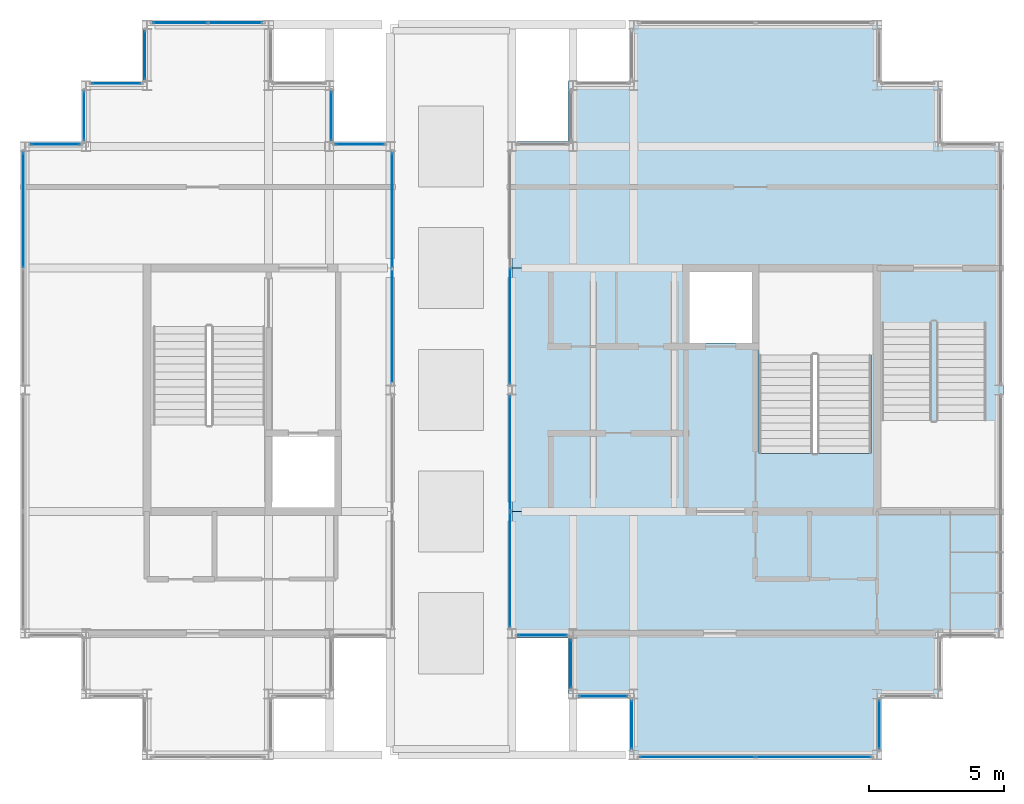
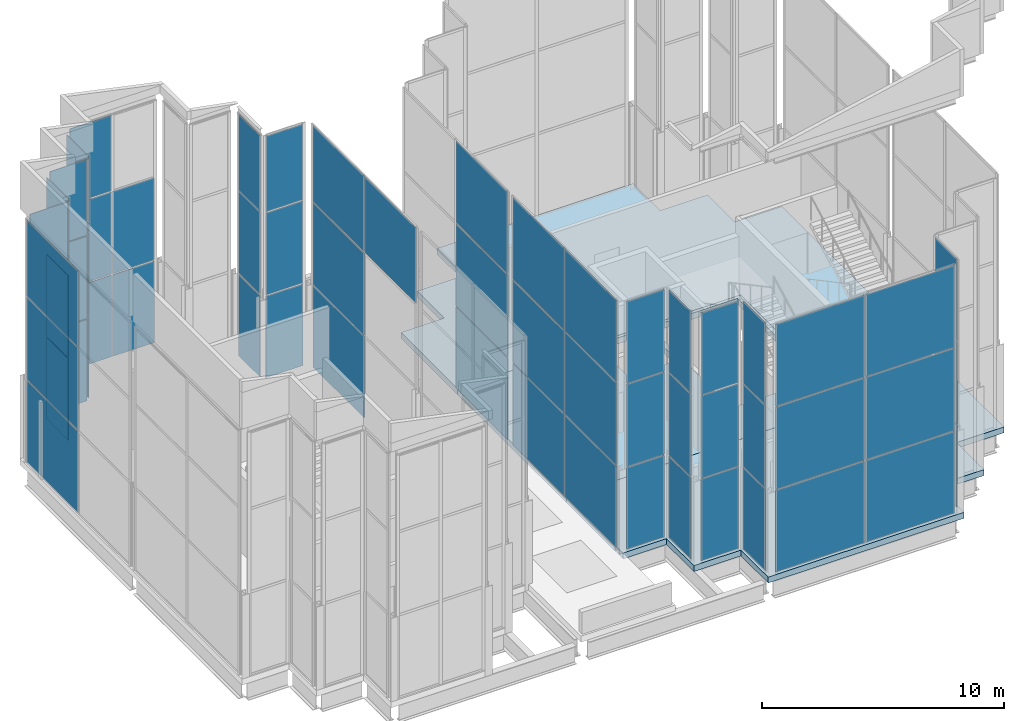
# One storey, part 12 of 23: 60 plates, 2 slabs, 17 elements without a shape of their own.
"""IFC4 building model written with IfcOpenShell, lengths in metres."""

from ifc_helpers import new_model, si_unit, direction, frame, origin, origin_2d, place, context, subcontext, project, spatial, polyline, rectangle, outline, extrude, material, layer, layer_set, type_object, element, aggregate, save


model = new_model("IFC4")

# Units and contexts
model_context = context("Model", 3, precision=1e-05, world=origin(), true_north=direction((0.0, 1.0)))
body_context = subcontext(model_context, "Body", "Model", "MODEL_VIEW")
ifc_project = project(units=[si_unit("LENGTHUNIT", "METRE"), si_unit("AREAUNIT", "SQUARE_METRE"), si_unit("VOLUMEUNIT", "CUBIC_METRE"), si_unit("PLANEANGLEUNIT", "RADIAN"), si_unit("MASSUNIT", "GRAM", prefix="KILO")], contexts=[model_context])

# Site, building, storey
site_placement = place(None, origin())
site = spatial("IfcSite", under=ifc_project, at=site_placement, CompositionType="ELEMENT")
building_placement = place(site_placement, origin())
building = spatial("IfcBuilding", under=site, at=building_placement, Name="Caravel Reach Hotel and Residences", CompositionType="ELEMENT")
storey_placement = place(building_placement, frame((0.0, 0.0, 312.800048828125)))
storey = spatial("IfcBuildingStorey", under=building, at=storey_placement, Name="L79", CompositionType="ELEMENT", Elevation=312.800048828125)

# Curtain wall, plates
ifc_material_1 = material(Name="Dark low-e glazing in black aluminium frame", Category="aluminium")
ifc_layer_1 = layer(ifc_material_1, 0.199951171875)
ifc_layer_set_1 = layer_set([ifc_layer_1], Name="CW4 Crown glazing")
curtain_wall_type = type_object("IfcCurtainWallType", Name="CW4 Crown glazing", PredefinedType="NOTDEFINED", material=ifc_layer_set_1)
curtain_wall_1_placement = place(storey_placement, origin())
curtain_wall_1 = element("IfcCurtainWall", 1, at=curtain_wall_1_placement, inside=storey, type_object=curtain_wall_type, Name="Crown glazing b0", PredefinedType="NOTDEFINED")
ifc_material_2 = material(Name="Dark laminated low-e glass", Category="glass")
ifc_layer_2 = layer(ifc_material_2, 0.031982421875)
ifc_layer_set_2 = layer_set([ifc_layer_2], Name="CW glass panel 32")
plate_type = type_object("IfcPlateType", Name="CW glass panel 32", PredefinedType="CURTAIN_PANEL", material=ifc_layer_set_2)
plate_1_placement = place(storey_placement, frame((45.074951171875, 14.625, 0.06005859375), z_axis=(0.0, 0.0, 1.0), x_axis=(0.0, 1.0, 0.0)))
plate_1 = element("IfcPlate", 2, at=plate_1_placement, type_object=plate_type, Name="CW4 panel 1.1", PredefinedType="CURTAIN_PANEL", context=body_context, shape_type="SweptSolid", body=[
    extrude(rectangle(XDim=1.780029296875, YDim=0.031982421875, at=origin_2d()), origin(), (0.0, 0.0, 1.0), 4.110107421875),
])
plate_2_placement = place(storey_placement, frame((45.074951171875, 14.625, 4.22998046875), z_axis=(0.0, 0.0, 1.0), x_axis=(0.0, 1.0, 0.0)))
plate_2 = element("IfcPlate", 3, at=plate_2_placement, type_object=plate_type, Name="CW4 panel 1.2", PredefinedType="CURTAIN_PANEL", context=body_context, shape_type="SweptSolid", body=[
    extrude(rectangle(XDim=1.780029296875, YDim=0.031982421875, at=origin_2d()), origin(), (0.0, 0.0, 1.0), 4.139892578125),
])
plate_3_placement = place(storey_placement, frame((45.074951171875, 14.625, 8.4296875), z_axis=(0.0, 0.0, 1.0), x_axis=(0.0, 1.0, 0.0)))
plate_3 = element("IfcPlate", 4, at=plate_3_placement, type_object=plate_type, Name="CW4 panel 1.3", PredefinedType="CURTAIN_PANEL", context=body_context, shape_type="SweptSolid", body=[
    extrude(rectangle(XDim=1.780029296875, YDim=0.031982421875, at=origin_2d()), origin(), (0.0, 0.0, 1.0), 4.110107421875),
])
aggregate(curtain_wall_1, [plate_1, plate_2, plate_3])

curtain_wall_2_placement = place(storey_placement, origin())
curtain_wall_2 = element("IfcCurtainWall", 5, at=curtain_wall_2_placement, inside=storey, type_object=curtain_wall_type, Name="Crown glazing b0", PredefinedType="NOTDEFINED")
plate_4_placement = place(storey_placement, frame((31.425048828125, 29.3525390625, 0.06005859375), z_axis=(0.0, 0.0, 1.0), x_axis=(0.0, -1.0, 0.0)))
plate_4 = element("IfcPlate", 6, at=plate_4_placement, type_object=plate_type, Name="CW4 panel 2.1", PredefinedType="CURTAIN_PANEL", context=body_context, shape_type="SweptSolid", body=[
    extrude(rectangle(XDim=4.235107421875, YDim=0.031982421875, at=origin_2d()), origin(), (0.0, 0.0, 1.0), 4.110107421875),
])
plate_5_placement = place(storey_placement, frame((31.425048828125, 29.3525390625, 4.22998046875), z_axis=(0.0, 0.0, 1.0), x_axis=(0.0, -1.0, 0.0)))
plate_5 = element("IfcPlate", 7, at=plate_5_placement, type_object=plate_type, Name="CW4 panel 2.2", PredefinedType="CURTAIN_PANEL", context=body_context, shape_type="SweptSolid", body=[
    extrude(rectangle(XDim=4.235107421875, YDim=0.031982421875, at=origin_2d()), origin(), (0.0, 0.0, 1.0), 4.139892578125),
])
plate_6_placement = place(storey_placement, frame((31.425048828125, 29.3525390625, 8.4296875), z_axis=(0.0, 0.0, 1.0), x_axis=(0.0, -1.0, 0.0)))
plate_6 = element("IfcPlate", 8, at=plate_6_placement, type_object=plate_type, Name="CW4 panel 2.3", PredefinedType="CURTAIN_PANEL", context=body_context, shape_type="SweptSolid", body=[
    extrude(rectangle(XDim=4.235107421875, YDim=0.031982421875, at=origin_2d()), origin(), (0.0, 0.0, 1.0), 4.110107421875),
])
aggregate(curtain_wall_2, [plate_4, plate_5, plate_6])

curtain_wall_3_placement = place(storey_placement, origin())
curtain_wall_3 = element("IfcCurtainWall", 9, at=curtain_wall_3_placement, inside=storey, type_object=curtain_wall_type, Name="Crown glazing b1", PredefinedType="NOTDEFINED")
plate_7_placement = place(storey_placement, frame((31.425048828125, 24.6474609375, 0.06005859375), z_axis=(0.0, 0.0, 1.0), x_axis=(0.0, -1.0, 0.0)))
plate_7 = element("IfcPlate", 10, at=plate_7_placement, type_object=plate_type, Name="CW4 panel 1.1", PredefinedType="CURTAIN_PANEL", context=body_context, shape_type="SweptSolid", body=[
    extrude(rectangle(XDim=4.235107421875, YDim=0.031982421875, at=origin_2d()), origin(), (0.0, 0.0, 1.0), 4.110107421875),
])
plate_8_placement = place(storey_placement, frame((31.425048828125, 24.6474609375, 4.22998046875), z_axis=(0.0, 0.0, 1.0), x_axis=(0.0, -1.0, 0.0)))
plate_8 = element("IfcPlate", 11, at=plate_8_placement, type_object=plate_type, Name="CW4 panel 1.2", PredefinedType="CURTAIN_PANEL", context=body_context, shape_type="SweptSolid", body=[
    extrude(rectangle(XDim=4.235107421875, YDim=0.031982421875, at=origin_2d()), origin(), (0.0, 0.0, 1.0), 4.139892578125),
])
plate_9_placement = place(storey_placement, frame((31.425048828125, 24.6474609375, 8.4296875), z_axis=(0.0, 0.0, 1.0), x_axis=(0.0, -1.0, 0.0)))
plate_9 = element("IfcPlate", 12, at=plate_9_placement, type_object=plate_type, Name="CW4 panel 1.3", PredefinedType="CURTAIN_PANEL", context=body_context, shape_type="SweptSolid", body=[
    extrude(rectangle(XDim=4.235107421875, YDim=0.031982421875, at=origin_2d()), origin(), (0.0, 0.0, 1.0), 4.110107421875),
])
plate_10_placement = place(storey_placement, frame((31.425048828125, 20.3525390625, 0.06005859375), z_axis=(0.0, 0.0, 1.0), x_axis=(0.0, -1.0, 0.0)))
plate_10 = element("IfcPlate", 13, at=plate_10_placement, type_object=plate_type, Name="CW4 panel 2.1", PredefinedType="CURTAIN_PANEL", context=body_context, shape_type="SweptSolid", body=[
    extrude(rectangle(XDim=4.235107421875, YDim=0.031982421875, at=origin_2d()), origin(), (0.0, 0.0, 1.0), 4.110107421875),
])
plate_11_placement = place(storey_placement, frame((31.425048828125, 20.3525390625, 4.22998046875), z_axis=(0.0, 0.0, 1.0), x_axis=(0.0, -1.0, 0.0)))
plate_11 = element("IfcPlate", 14, at=plate_11_placement, type_object=plate_type, Name="CW4 panel 2.2", PredefinedType="CURTAIN_PANEL", context=body_context, shape_type="SweptSolid", body=[
    extrude(rectangle(XDim=4.235107421875, YDim=0.031982421875, at=origin_2d()), origin(), (0.0, 0.0, 1.0), 4.139892578125),
])
plate_12_placement = place(storey_placement, frame((31.425048828125, 20.3525390625, 8.4296875), z_axis=(0.0, 0.0, 1.0), x_axis=(0.0, -1.0, 0.0)))
plate_12 = element("IfcPlate", 15, at=plate_12_placement, type_object=plate_type, Name="CW4 panel 2.3", PredefinedType="CURTAIN_PANEL", context=body_context, shape_type="SweptSolid", body=[
    extrude(rectangle(XDim=4.235107421875, YDim=0.031982421875, at=origin_2d()), origin(), (0.0, 0.0, 1.0), 4.110107421875),
])
aggregate(curtain_wall_3, [plate_7, plate_8, plate_9, plate_10, plate_11, plate_12])

curtain_wall_4_placement = place(storey_placement, origin())
curtain_wall_4 = element("IfcCurtainWall", 16, at=curtain_wall_4_placement, inside=storey, type_object=curtain_wall_type, Name="Crown glazing b0", PredefinedType="NOTDEFINED")
plate_13_placement = place(storey_placement, frame((32.625, 17.925048828125, 0.06005859375), z_axis=(0.0, 0.0, 1.0), x_axis=(1.0, 0.0, 0.0)))
plate_13 = element("IfcPlate", 17, at=plate_13_placement, type_object=plate_type, Name="CW4 panel 1.1", PredefinedType="CURTAIN_PANEL", context=body_context, shape_type="SweptSolid", body=[
    extrude(rectangle(XDim=1.780029296875, YDim=0.031982421875, at=origin_2d()), origin(), (0.0, 0.0, 1.0), 4.110107421875),
])
plate_14_placement = place(storey_placement, frame((32.625, 17.925048828125, 4.22998046875), z_axis=(0.0, 0.0, 1.0), x_axis=(1.0, 0.0, 0.0)))
plate_14 = element("IfcPlate", 18, at=plate_14_placement, type_object=plate_type, Name="CW4 panel 1.2", PredefinedType="CURTAIN_PANEL", context=body_context, shape_type="SweptSolid", body=[
    extrude(rectangle(XDim=1.780029296875, YDim=0.031982421875, at=origin_2d()), origin(), (0.0, 0.0, 1.0), 4.139892578125),
])
plate_15_placement = place(storey_placement, frame((32.625, 17.925048828125, 8.4296875), z_axis=(0.0, 0.0, 1.0), x_axis=(1.0, 0.0, 0.0)))
plate_15 = element("IfcPlate", 19, at=plate_15_placement, type_object=plate_type, Name="CW4 panel 1.3", PredefinedType="CURTAIN_PANEL", context=body_context, shape_type="SweptSolid", body=[
    extrude(rectangle(XDim=1.780029296875, YDim=0.031982421875, at=origin_2d()), origin(), (0.0, 0.0, 1.0), 4.110107421875),
])
aggregate(curtain_wall_4, [plate_13, plate_14, plate_15])

curtain_wall_5_placement = place(storey_placement, origin())
curtain_wall_5 = element("IfcCurtainWall", 20, at=curtain_wall_5_placement, inside=storey, type_object=curtain_wall_type, Name="Crown glazing b0", PredefinedType="NOTDEFINED")
plate_16_placement = place(storey_placement, frame((33.675048828125, 16.875, 0.06005859375), z_axis=(0.0, 0.0, 1.0), x_axis=(0.0, -1.0, 0.0)))
plate_16 = element("IfcPlate", 21, at=plate_16_placement, type_object=plate_type, Name="CW4 panel 1.1", PredefinedType="CURTAIN_PANEL", context=body_context, shape_type="SweptSolid", body=[
    extrude(rectangle(XDim=1.780029296875, YDim=0.031982421875, at=origin_2d()), origin(), (0.0, 0.0, 1.0), 4.110107421875),
])
plate_17_placement = place(storey_placement, frame((33.675048828125, 16.875, 4.22998046875), z_axis=(0.0, 0.0, 1.0), x_axis=(0.0, -1.0, 0.0)))
plate_17 = element("IfcPlate", 22, at=plate_17_placement, type_object=plate_type, Name="CW4 panel 1.2", PredefinedType="CURTAIN_PANEL", context=body_context, shape_type="SweptSolid", body=[
    extrude(rectangle(XDim=1.780029296875, YDim=0.031982421875, at=origin_2d()), origin(), (0.0, 0.0, 1.0), 4.139892578125),
])
plate_18_placement = place(storey_placement, frame((33.675048828125, 16.875, 8.4296875), z_axis=(0.0, 0.0, 1.0), x_axis=(0.0, -1.0, 0.0)))
plate_18 = element("IfcPlate", 23, at=plate_18_placement, type_object=plate_type, Name="CW4 panel 1.3", PredefinedType="CURTAIN_PANEL", context=body_context, shape_type="SweptSolid", body=[
    extrude(rectangle(XDim=1.780029296875, YDim=0.031982421875, at=origin_2d()), origin(), (0.0, 0.0, 1.0), 4.110107421875),
])
aggregate(curtain_wall_5, [plate_16, plate_17, plate_18])

curtain_wall_6_placement = place(storey_placement, origin())
curtain_wall_6 = element("IfcCurtainWall", 24, at=curtain_wall_6_placement, inside=storey, type_object=curtain_wall_type, Name="Crown glazing b0", PredefinedType="NOTDEFINED")
plate_19_placement = place(storey_placement, frame((34.875, 15.675048828125, 0.06005859375), z_axis=(0.0, 0.0, 1.0), x_axis=(1.0, 0.0, 0.0)))
plate_19 = element("IfcPlate", 25, at=plate_19_placement, type_object=plate_type, Name="CW4 panel 1.1", PredefinedType="CURTAIN_PANEL", context=body_context, shape_type="SweptSolid", body=[
    extrude(rectangle(XDim=1.780029296875, YDim=0.031982421875, at=origin_2d()), origin(), (0.0, 0.0, 1.0), 4.110107421875),
])
plate_20_placement = place(storey_placement, frame((34.875, 15.675048828125, 4.22998046875), z_axis=(0.0, 0.0, 1.0), x_axis=(1.0, 0.0, 0.0)))
plate_20 = element("IfcPlate", 26, at=plate_20_placement, type_object=plate_type, Name="CW4 panel 1.2", PredefinedType="CURTAIN_PANEL", context=body_context, shape_type="SweptSolid", body=[
    extrude(rectangle(XDim=1.780029296875, YDim=0.031982421875, at=origin_2d()), origin(), (0.0, 0.0, 1.0), 4.139892578125),
])
plate_21_placement = place(storey_placement, frame((34.875, 15.675048828125, 8.4296875), z_axis=(0.0, 0.0, 1.0), x_axis=(1.0, 0.0, 0.0)))
plate_21 = element("IfcPlate", 27, at=plate_21_placement, type_object=plate_type, Name="CW4 panel 1.3", PredefinedType="CURTAIN_PANEL", context=body_context, shape_type="SweptSolid", body=[
    extrude(rectangle(XDim=1.780029296875, YDim=0.031982421875, at=origin_2d()), origin(), (0.0, 0.0, 1.0), 4.110107421875),
])
aggregate(curtain_wall_6, [plate_19, plate_20, plate_21])

curtain_wall_7_placement = place(storey_placement, origin())
curtain_wall_7 = element("IfcCurtainWall", 28, at=curtain_wall_7_placement, inside=storey, type_object=curtain_wall_type, Name="Crown glazing b0", PredefinedType="NOTDEFINED")
plate_22_placement = place(storey_placement, frame((35.925048828125, 14.625, 0.06005859375), z_axis=(0.0, 0.0, 1.0), x_axis=(0.0, -1.0, 0.0)))
plate_22 = element("IfcPlate", 29, at=plate_22_placement, type_object=plate_type, Name="CW4 panel 1.1", PredefinedType="CURTAIN_PANEL", context=body_context, shape_type="SweptSolid", body=[
    extrude(rectangle(XDim=1.780029296875, YDim=0.031982421875, at=origin_2d()), origin(), (0.0, 0.0, 1.0), 4.110107421875),
])
plate_23_placement = place(storey_placement, frame((35.925048828125, 14.625, 4.22998046875), z_axis=(0.0, 0.0, 1.0), x_axis=(0.0, -1.0, 0.0)))
plate_23 = element("IfcPlate", 30, at=plate_23_placement, type_object=plate_type, Name="CW4 panel 1.2", PredefinedType="CURTAIN_PANEL", context=body_context, shape_type="SweptSolid", body=[
    extrude(rectangle(XDim=1.780029296875, YDim=0.031982421875, at=origin_2d()), origin(), (0.0, 0.0, 1.0), 4.139892578125),
])
plate_24_placement = place(storey_placement, frame((35.925048828125, 14.625, 8.4296875), z_axis=(0.0, 0.0, 1.0), x_axis=(0.0, -1.0, 0.0)))
plate_24 = element("IfcPlate", 31, at=plate_24_placement, type_object=plate_type, Name="CW4 panel 1.3", PredefinedType="CURTAIN_PANEL", context=body_context, shape_type="SweptSolid", body=[
    extrude(rectangle(XDim=1.780029296875, YDim=0.031982421875, at=origin_2d()), origin(), (0.0, 0.0, 1.0), 4.110107421875),
])
aggregate(curtain_wall_7, [plate_22, plate_23, plate_24])

curtain_wall_8_placement = place(storey_placement, origin())
curtain_wall_8 = element("IfcCurtainWall", 32, at=curtain_wall_8_placement, inside=storey, type_object=curtain_wall_type, Name="Crown glazing b0", PredefinedType="NOTDEFINED")
plate_25_placement = place(storey_placement, frame((38.3525390625, 13.425048828125, 0.06005859375), z_axis=(0.0, 0.0, 1.0), x_axis=(1.0, 0.0, 0.0)))
plate_25 = element("IfcPlate", 33, at=plate_25_placement, type_object=plate_type, Name="CW4 panel 1.1", PredefinedType="CURTAIN_PANEL", context=body_context, shape_type="SweptSolid", body=[
    extrude(rectangle(XDim=4.235107421875, YDim=0.031982421875, at=origin_2d()), origin(), (0.0, 0.0, 1.0), 4.110107421875),
])
plate_26_placement = place(storey_placement, frame((38.3525390625, 13.425048828125, 4.22998046875), z_axis=(0.0, 0.0, 1.0), x_axis=(1.0, 0.0, 0.0)))
plate_26 = element("IfcPlate", 34, at=plate_26_placement, type_object=plate_type, Name="CW4 panel 1.2", PredefinedType="CURTAIN_PANEL", context=body_context, shape_type="SweptSolid", body=[
    extrude(rectangle(XDim=4.235107421875, YDim=0.031982421875, at=origin_2d()), origin(), (0.0, 0.0, 1.0), 4.139892578125),
])
plate_27_placement = place(storey_placement, frame((38.3525390625, 13.425048828125, 8.4296875), z_axis=(0.0, 0.0, 1.0), x_axis=(1.0, 0.0, 0.0)))
plate_27 = element("IfcPlate", 35, at=plate_27_placement, type_object=plate_type, Name="CW4 panel 1.3", PredefinedType="CURTAIN_PANEL", context=body_context, shape_type="SweptSolid", body=[
    extrude(rectangle(XDim=4.235107421875, YDim=0.031982421875, at=origin_2d()), origin(), (0.0, 0.0, 1.0), 4.110107421875),
])
plate_28_placement = place(storey_placement, frame((42.6474609375, 13.425048828125, 0.06005859375), z_axis=(0.0, 0.0, 1.0), x_axis=(1.0, 0.0, 0.0)))
plate_28 = element("IfcPlate", 36, at=plate_28_placement, type_object=plate_type, Name="CW4 panel 2.1", PredefinedType="CURTAIN_PANEL", context=body_context, shape_type="SweptSolid", body=[
    extrude(rectangle(XDim=4.235107421875, YDim=0.031982421875, at=origin_2d()), origin(), (0.0, 0.0, 1.0), 4.110107421875),
])
plate_29_placement = place(storey_placement, frame((42.6474609375, 13.425048828125, 4.22998046875), z_axis=(0.0, 0.0, 1.0), x_axis=(1.0, 0.0, 0.0)))
plate_29 = element("IfcPlate", 37, at=plate_29_placement, type_object=plate_type, Name="CW4 panel 2.2", PredefinedType="CURTAIN_PANEL", context=body_context, shape_type="SweptSolid", body=[
    extrude(rectangle(XDim=4.235107421875, YDim=0.031982421875, at=origin_2d()), origin(), (0.0, 0.0, 1.0), 4.139892578125),
])
plate_30_placement = place(storey_placement, frame((42.6474609375, 13.425048828125, 8.4296875), z_axis=(0.0, 0.0, 1.0), x_axis=(1.0, 0.0, 0.0)))
plate_30 = element("IfcPlate", 38, at=plate_30_placement, type_object=plate_type, Name="CW4 panel 2.3", PredefinedType="CURTAIN_PANEL", context=body_context, shape_type="SweptSolid", body=[
    extrude(rectangle(XDim=4.235107421875, YDim=0.031982421875, at=origin_2d()), origin(), (0.0, 0.0, 1.0), 4.110107421875),
])
aggregate(curtain_wall_8, [plate_25, plate_26, plate_27, plate_28, plate_29, plate_30])

curtain_wall_9_placement = place(storey_placement, origin())
curtain_wall_9 = element("IfcCurtainWall", 39, at=curtain_wall_9_placement, inside=storey, type_object=curtain_wall_type, Name="Crown glazing b1", PredefinedType="NOTDEFINED")
plate_31_placement = place(storey_placement, frame((27.074951171875, 29.3525390625, 8.429931640625), z_axis=(0.0, 0.0, 1.0), x_axis=(0.0, 1.0, 0.0)))
plate_31 = element("IfcPlate", 40, at=plate_31_placement, type_object=plate_type, Name="CW4 panel 1.3", PredefinedType="CURTAIN_PANEL", context=body_context, shape_type="SweptSolid", body=[
    extrude(rectangle(XDim=4.235107421875, YDim=0.031982421875, at=origin_2d()), origin(), (0.0, 0.0, 1.0), 3.81005859375),
])
plate_32_placement = place(storey_placement, frame((27.074951171875, 33.6474609375, 0.06005859375), z_axis=(0.0, 0.0, 1.0), x_axis=(0.0, 1.0, 0.0)))
plate_32 = element("IfcPlate", 41, at=plate_32_placement, type_object=plate_type, Name="CW4 panel 2.1", PredefinedType="CURTAIN_PANEL", context=body_context, shape_type="SweptSolid", body=[
    extrude(rectangle(XDim=4.235107421875, YDim=0.031982421875, at=origin_2d()), origin(), (0.0, 0.0, 1.0), 4.110107421875),
])
plate_33_placement = place(storey_placement, frame((27.074951171875, 33.6474609375, 4.22998046875), z_axis=(0.0, 0.0, 1.0), x_axis=(0.0, 1.0, 0.0)))
plate_33 = element("IfcPlate", 42, at=plate_33_placement, type_object=plate_type, Name="CW4 panel 2.2", PredefinedType="CURTAIN_PANEL", context=body_context, shape_type="SweptSolid", body=[
    extrude(rectangle(XDim=4.235107421875, YDim=0.031982421875, at=origin_2d()), origin(), (0.0, 0.0, 1.0), 4.139892578125),
])
plate_34_placement = place(storey_placement, frame((27.074951171875, 33.6474609375, 8.429931640625), z_axis=(0.0, 0.0, 1.0), x_axis=(0.0, 1.0, 0.0)))
plate_34 = element("IfcPlate", 43, at=plate_34_placement, type_object=plate_type, Name="CW4 panel 2.3", PredefinedType="CURTAIN_PANEL", context=body_context, shape_type="SweptSolid", body=[
    extrude(rectangle(XDim=4.235107421875, YDim=0.031982421875, at=origin_2d()), origin(), (0.0, 0.0, 1.0), 3.81005859375),
])
aggregate(curtain_wall_9, [plate_31, plate_32, plate_33, plate_34])

curtain_wall_10_placement = place(storey_placement, origin())
curtain_wall_10 = element("IfcCurtainWall", 44, at=curtain_wall_10_placement, inside=storey, type_object=curtain_wall_type, Name="Crown glazing b0", PredefinedType="NOTDEFINED")
plate_35_placement = place(storey_placement, frame((25.875, 36.074951171875, 0.06005859375), z_axis=(0.0, 0.0, 1.0), x_axis=(-1.0, 0.0, 0.0)))
plate_35 = element("IfcPlate", 45, at=plate_35_placement, type_object=plate_type, Name="CW4 panel 1.1", PredefinedType="CURTAIN_PANEL", context=body_context, shape_type="SweptSolid", body=[
    extrude(rectangle(XDim=1.780029296875, YDim=0.031982421875, at=origin_2d()), origin(), (0.0, 0.0, 1.0), 4.110107421875),
])
plate_36_placement = place(storey_placement, frame((25.875, 36.074951171875, 4.22998046875), z_axis=(0.0, 0.0, 1.0), x_axis=(-1.0, 0.0, 0.0)))
plate_36 = element("IfcPlate", 46, at=plate_36_placement, type_object=plate_type, Name="CW4 panel 1.2", PredefinedType="CURTAIN_PANEL", context=body_context, shape_type="SweptSolid", body=[
    extrude(rectangle(XDim=1.780029296875, YDim=0.031982421875, at=origin_2d()), origin(), (0.0, 0.0, 1.0), 4.139892578125),
])
plate_37_placement = place(storey_placement, frame((25.875, 36.074951171875, 8.429931640625), z_axis=(0.0, 0.0, 1.0), x_axis=(-1.0, 0.0, 0.0)))
plate_37 = element("IfcPlate", 47, at=plate_37_placement, type_object=plate_type, Name="CW4 panel 1.3", PredefinedType="CURTAIN_PANEL", context=body_context, shape_type="SweptSolid", body=[
    extrude(rectangle(XDim=1.780029296875, YDim=0.031982421875, at=origin_2d()), origin(), (0.0, 0.0, 1.0), 3.81005859375),
])
aggregate(curtain_wall_10, [plate_35, plate_36, plate_37])

curtain_wall_11_placement = place(storey_placement, origin())
curtain_wall_11 = element("IfcCurtainWall", 48, at=curtain_wall_11_placement, inside=storey, type_object=curtain_wall_type, Name="Crown glazing b0", PredefinedType="NOTDEFINED")
plate_38_placement = place(storey_placement, frame((24.824951171875, 37.125, 0.06005859375), z_axis=(0.0, 0.0, 1.0), x_axis=(0.0, 1.0, 0.0)))
plate_38 = element("IfcPlate", 49, at=plate_38_placement, type_object=plate_type, Name="CW4 panel 1.1", PredefinedType="CURTAIN_PANEL", context=body_context, shape_type="SweptSolid", body=[
    extrude(rectangle(XDim=1.780029296875, YDim=0.031982421875, at=origin_2d()), origin(), (0.0, 0.0, 1.0), 4.110107421875),
])
plate_39_placement = place(storey_placement, frame((24.824951171875, 37.125, 4.22998046875), z_axis=(0.0, 0.0, 1.0), x_axis=(0.0, 1.0, 0.0)))
plate_39 = element("IfcPlate", 50, at=plate_39_placement, type_object=plate_type, Name="CW4 panel 1.2", PredefinedType="CURTAIN_PANEL", context=body_context, shape_type="SweptSolid", body=[
    extrude(rectangle(XDim=1.780029296875, YDim=0.031982421875, at=origin_2d()), origin(), (0.0, 0.0, 1.0), 4.139892578125),
])
plate_40_placement = place(storey_placement, frame((24.824951171875, 37.125, 8.429931640625), z_axis=(0.0, 0.0, 1.0), x_axis=(0.0, 1.0, 0.0)))
plate_40 = element("IfcPlate", 51, at=plate_40_placement, type_object=plate_type, Name="CW4 panel 1.3", PredefinedType="CURTAIN_PANEL", context=body_context, shape_type="SweptSolid", body=[
    extrude(rectangle(XDim=1.780029296875, YDim=0.031982421875, at=origin_2d()), origin(), (0.0, 0.0, 1.0), 3.81005859375),
])
aggregate(curtain_wall_11, [plate_38, plate_39, plate_40])

curtain_wall_12_placement = place(storey_placement, origin())
curtain_wall_12 = element("IfcCurtainWall", 52, at=curtain_wall_12_placement, inside=storey, type_object=curtain_wall_type, Name="Crown glazing b0", PredefinedType="NOTDEFINED")
plate_41_placement = place(storey_placement, frame((21.2724609375, 40.574951171875, 0.06005859375), z_axis=(0.0, 0.0, 1.0), x_axis=(-1.0, 0.0, 0.0)))
plate_41 = element("IfcPlate", 53, at=plate_41_placement, type_object=plate_type, Name="CW4 panel 1.1", PredefinedType="CURTAIN_PANEL", context=body_context, shape_type="SweptSolid", body=[
    extrude(rectangle(XDim=1.985107421875, YDim=0.031982421875, at=origin_2d()), origin(), (0.0, 0.0, 1.0), 4.110107421875),
])
plate_42_placement = place(storey_placement, frame((21.2724609375, 40.574951171875, 4.22998046875), z_axis=(0.0, 0.0, 1.0), x_axis=(-1.0, 0.0, 0.0)))
plate_42 = element("IfcPlate", 54, at=plate_42_placement, type_object=plate_type, Name="CW4 panel 1.2", PredefinedType="CURTAIN_PANEL", context=body_context, shape_type="SweptSolid", body=[
    extrude(rectangle(XDim=1.985107421875, YDim=0.031982421875, at=origin_2d()), origin(), (0.0, 0.0, 1.0), 4.139892578125),
])
plate_43_placement = place(storey_placement, frame((19.2275390625, 40.574951171875, 0.06005859375), z_axis=(0.0, 0.0, 1.0), x_axis=(-1.0, 0.0, 0.0)))
plate_43 = element("IfcPlate", 55, at=plate_43_placement, type_object=plate_type, Name="CW4 panel 2.1", PredefinedType="CURTAIN_PANEL", context=body_context, shape_type="SweptSolid", body=[
    extrude(rectangle(XDim=1.985107421875, YDim=0.031982421875, at=origin_2d()), origin(), (0.0, 0.0, 1.0), 4.110107421875),
])
plate_44_placement = place(storey_placement, frame((19.2275390625, 40.574951171875, 4.22998046875), z_axis=(0.0, 0.0, 1.0), x_axis=(-1.0, 0.0, 0.0)))
plate_44 = element("IfcPlate", 56, at=plate_44_placement, type_object=plate_type, Name="CW4 panel 2.2", PredefinedType="CURTAIN_PANEL", context=body_context, shape_type="SweptSolid", body=[
    extrude(rectangle(XDim=1.985107421875, YDim=0.031982421875, at=origin_2d()), origin(), (0.0, 0.0, 1.0), 4.139892578125),
])
plate_45_placement = place(storey_placement, frame((19.2275390625, 40.574951171875, 8.429931640625), z_axis=(0.0, 0.0, 1.0), x_axis=(-1.0, 0.0, 0.0)))
plate_45 = element("IfcPlate", 57, at=plate_45_placement, type_object=plate_type, Name="CW4 panel 2.3", PredefinedType="CURTAIN_PANEL", context=body_context, shape_type="SweptSolid", body=[
    extrude(rectangle(XDim=1.985107421875, YDim=0.031982421875, at=origin_2d()), origin(), (0.0, 0.0, 1.0), 3.81005859375),
])
aggregate(curtain_wall_12, [plate_41, plate_42, plate_43, plate_44, plate_45])

curtain_wall_13_placement = place(storey_placement, origin())
curtain_wall_13 = element("IfcCurtainWall", 58, at=curtain_wall_13_placement, inside=storey, type_object=curtain_wall_type, Name="Crown glazing b0", PredefinedType="NOTDEFINED")
plate_46_placement = place(storey_placement, frame((17.925048828125, 39.375, 0.06005859375), z_axis=(0.0, 0.0, 1.0), x_axis=(0.0, -1.0, 0.0)))
plate_46 = element("IfcPlate", 59, at=plate_46_placement, type_object=plate_type, Name="CW4 panel 1.1", PredefinedType="CURTAIN_PANEL", context=body_context, shape_type="SweptSolid", body=[
    extrude(rectangle(XDim=1.780029296875, YDim=0.031982421875, at=origin_2d()), origin(), (0.0, 0.0, 1.0), 4.110107421875),
])
plate_47_placement = place(storey_placement, frame((17.925048828125, 39.375, 4.22998046875), z_axis=(0.0, 0.0, 1.0), x_axis=(0.0, -1.0, 0.0)))
plate_47 = element("IfcPlate", 60, at=plate_47_placement, type_object=plate_type, Name="CW4 panel 1.2", PredefinedType="CURTAIN_PANEL", context=body_context, shape_type="SweptSolid", body=[
    extrude(rectangle(XDim=1.780029296875, YDim=0.031982421875, at=origin_2d()), origin(), (0.0, 0.0, 1.0), 4.139892578125),
])
plate_48_placement = place(storey_placement, frame((17.925048828125, 39.375, 8.429931640625), z_axis=(0.0, 0.0, 1.0), x_axis=(0.0, -1.0, 0.0)))
plate_48 = element("IfcPlate", 61, at=plate_48_placement, type_object=plate_type, Name="CW4 panel 1.3", PredefinedType="CURTAIN_PANEL", context=body_context, shape_type="SweptSolid", body=[
    extrude(rectangle(XDim=1.780029296875, YDim=0.031982421875, at=origin_2d()), origin(), (0.0, 0.0, 1.0), 3.81005859375),
])
aggregate(curtain_wall_13, [plate_46, plate_47, plate_48])

curtain_wall_14_placement = place(storey_placement, origin())
curtain_wall_14 = element("IfcCurtainWall", 62, at=curtain_wall_14_placement, inside=storey, type_object=curtain_wall_type, Name="Crown glazing b0", PredefinedType="NOTDEFINED")
plate_49_placement = place(storey_placement, frame((16.875, 38.324951171875, 0.06005859375), z_axis=(0.0, 0.0, 1.0), x_axis=(-1.0, 0.0, 0.0)))
plate_49 = element("IfcPlate", 63, at=plate_49_placement, type_object=plate_type, Name="CW4 panel 1.1", PredefinedType="CURTAIN_PANEL", context=body_context, shape_type="SweptSolid", body=[
    extrude(rectangle(XDim=1.780029296875, YDim=0.031982421875, at=origin_2d()), origin(), (0.0, 0.0, 1.0), 4.110107421875),
])
plate_50_placement = place(storey_placement, frame((16.875, 38.324951171875, 4.22998046875), z_axis=(0.0, 0.0, 1.0), x_axis=(-1.0, 0.0, 0.0)))
plate_50 = element("IfcPlate", 64, at=plate_50_placement, type_object=plate_type, Name="CW4 panel 1.2", PredefinedType="CURTAIN_PANEL", context=body_context, shape_type="SweptSolid", body=[
    extrude(rectangle(XDim=1.780029296875, YDim=0.031982421875, at=origin_2d()), origin(), (0.0, 0.0, 1.0), 4.139892578125),
])
plate_51_placement = place(storey_placement, frame((16.875, 38.324951171875, 8.429931640625), z_axis=(0.0, 0.0, 1.0), x_axis=(-1.0, 0.0, 0.0)))
plate_51 = element("IfcPlate", 65, at=plate_51_placement, type_object=plate_type, Name="CW4 panel 1.3", PredefinedType="CURTAIN_PANEL", context=body_context, shape_type="SweptSolid", body=[
    extrude(rectangle(XDim=1.780029296875, YDim=0.031982421875, at=origin_2d()), origin(), (0.0, 0.0, 1.0), 3.81005859375),
])
aggregate(curtain_wall_14, [plate_49, plate_50, plate_51])

curtain_wall_15_placement = place(storey_placement, origin())
curtain_wall_15 = element("IfcCurtainWall", 66, at=curtain_wall_15_placement, inside=storey, type_object=curtain_wall_type, Name="Crown glazing b0", PredefinedType="NOTDEFINED")
plate_52_placement = place(storey_placement, frame((15.675048828125, 37.125, 0.06005859375), z_axis=(0.0, 0.0, 1.0), x_axis=(0.0, -1.0, 0.0)))
plate_52 = element("IfcPlate", 67, at=plate_52_placement, type_object=plate_type, Name="CW4 panel 1.1", PredefinedType="CURTAIN_PANEL", context=body_context, shape_type="SweptSolid", body=[
    extrude(rectangle(XDim=1.780029296875, YDim=0.031982421875, at=origin_2d()), origin(), (0.0, 0.0, 1.0), 4.110107421875),
])
plate_53_placement = place(storey_placement, frame((15.675048828125, 37.125, 4.22998046875), z_axis=(0.0, 0.0, 1.0), x_axis=(0.0, -1.0, 0.0)))
plate_53 = element("IfcPlate", 68, at=plate_53_placement, type_object=plate_type, Name="CW4 panel 1.2", PredefinedType="CURTAIN_PANEL", context=body_context, shape_type="SweptSolid", body=[
    extrude(rectangle(XDim=1.780029296875, YDim=0.031982421875, at=origin_2d()), origin(), (0.0, 0.0, 1.0), 4.139892578125),
])
plate_54_placement = place(storey_placement, frame((15.675048828125, 37.125, 8.429931640625), z_axis=(0.0, 0.0, 1.0), x_axis=(0.0, -1.0, 0.0)))
plate_54 = element("IfcPlate", 69, at=plate_54_placement, type_object=plate_type, Name="CW4 panel 1.3", PredefinedType="CURTAIN_PANEL", context=body_context, shape_type="SweptSolid", body=[
    extrude(rectangle(XDim=1.780029296875, YDim=0.031982421875, at=origin_2d()), origin(), (0.0, 0.0, 1.0), 3.81005859375),
])
aggregate(curtain_wall_15, [plate_52, plate_53, plate_54])

curtain_wall_16_placement = place(storey_placement, origin())
curtain_wall_16 = element("IfcCurtainWall", 70, at=curtain_wall_16_placement, inside=storey, type_object=curtain_wall_type, Name="Crown glazing b0", PredefinedType="NOTDEFINED")
plate_55_placement = place(storey_placement, frame((14.625, 36.074951171875, 0.06005859375), z_axis=(0.0, 0.0, 1.0), x_axis=(-1.0, 0.0, 0.0)))
plate_55 = element("IfcPlate", 71, at=plate_55_placement, type_object=plate_type, Name="CW4 panel 1.1", PredefinedType="CURTAIN_PANEL", context=body_context, shape_type="SweptSolid", body=[
    extrude(rectangle(XDim=1.780029296875, YDim=0.031982421875, at=origin_2d()), origin(), (0.0, 0.0, 1.0), 4.110107421875),
])
plate_56_placement = place(storey_placement, frame((14.625, 36.074951171875, 4.22998046875), z_axis=(0.0, 0.0, 1.0), x_axis=(-1.0, 0.0, 0.0)))
plate_56 = element("IfcPlate", 72, at=plate_56_placement, type_object=plate_type, Name="CW4 panel 1.2", PredefinedType="CURTAIN_PANEL", context=body_context, shape_type="SweptSolid", body=[
    extrude(rectangle(XDim=1.780029296875, YDim=0.031982421875, at=origin_2d()), origin(), (0.0, 0.0, 1.0), 4.139892578125),
])
plate_57_placement = place(storey_placement, frame((14.625, 36.074951171875, 8.429931640625), z_axis=(0.0, 0.0, 1.0), x_axis=(-1.0, 0.0, 0.0)))
plate_57 = element("IfcPlate", 73, at=plate_57_placement, type_object=plate_type, Name="CW4 panel 1.3", PredefinedType="CURTAIN_PANEL", context=body_context, shape_type="SweptSolid", body=[
    extrude(rectangle(XDim=1.780029296875, YDim=0.031982421875, at=origin_2d()), origin(), (0.0, 0.0, 1.0), 3.81005859375),
])
aggregate(curtain_wall_16, [plate_55, plate_56, plate_57])

curtain_wall_17_placement = place(storey_placement, origin())
curtain_wall_17 = element("IfcCurtainWall", 74, at=curtain_wall_17_placement, inside=storey, type_object=curtain_wall_type, Name="Crown glazing b0", PredefinedType="NOTDEFINED")
plate_58_placement = place(storey_placement, frame((13.425048828125, 33.6474609375, 0.06005859375), z_axis=(0.0, 0.0, 1.0), x_axis=(0.0, -1.0, 0.0)))
plate_58 = element("IfcPlate", 75, at=plate_58_placement, type_object=plate_type, Name="CW4 panel 1.1", PredefinedType="CURTAIN_PANEL", context=body_context, shape_type="SweptSolid", body=[
    extrude(rectangle(XDim=4.235107421875, YDim=0.031982421875, at=origin_2d()), origin(), (0.0, 0.0, 1.0), 4.110107421875),
])
plate_59_placement = place(storey_placement, frame((13.425048828125, 33.6474609375, 4.22998046875), z_axis=(0.0, 0.0, 1.0), x_axis=(0.0, -1.0, 0.0)))
plate_59 = element("IfcPlate", 76, at=plate_59_placement, type_object=plate_type, Name="CW4 panel 1.2", PredefinedType="CURTAIN_PANEL", context=body_context, shape_type="SweptSolid", body=[
    extrude(rectangle(XDim=4.235107421875, YDim=0.031982421875, at=origin_2d()), origin(), (0.0, 0.0, 1.0), 4.139892578125),
])
plate_60_placement = place(storey_placement, frame((13.425048828125, 33.6474609375, 8.429931640625), z_axis=(0.0, 0.0, 1.0), x_axis=(0.0, -1.0, 0.0)))
plate_60 = element("IfcPlate", 77, at=plate_60_placement, type_object=plate_type, Name="CW4 panel 1.3", PredefinedType="CURTAIN_PANEL", context=body_context, shape_type="SweptSolid", body=[
    extrude(rectangle(XDim=4.235107421875, YDim=0.031982421875, at=origin_2d()), origin(), (0.0, 0.0, 1.0), 3.81005859375),
])
aggregate(curtain_wall_17, [plate_58, plate_59, plate_60])

# Slabs
ifc_material_3 = material(Name="Concrete C40", Category="concrete")
ifc_layer_3 = layer(ifc_material_3, 0.300048828125)
ifc_layer_set_3 = layer_set([ifc_layer_3], Name="Core floor slab 300 mm")
slab_type_1 = type_object("IfcSlabType", Name="Core floor slab 300 mm", PredefinedType="FLOOR", material=ifc_layer_set_3)
slab_1_placement = place(storey_placement, frame((0.0, 0.0, -0.300048828125)))
element("IfcSlab", 78, at=slab_1_placement, inside=storey, type_object=slab_type_1, Name="L79 core floor", PredefinedType="FLOOR", context=body_context, shape_type="SweptSolid", body=[
    extrude(outline(polyline([(45.0, 22.5), (31.5, 22.5), (31.5, 31.5), (45.0, 31.5), (45.0, 22.5)]), holes=[polyline([(40.625, 24.64990234375), (44.77490234375, 24.64990234375), (44.77490234375, 31.35009765625), (40.625, 31.35009765625), (40.625, 24.64990234375)]), polyline([(38.0537109375, 28.72509765625), (40.375, 28.72509765625), (40.375, 31.35009765625), (38.0537109375, 31.35009765625), (38.0537109375, 28.72509765625)])]), origin(), (0.0, 0.0, 1.0), 0.300048828125),
])
ifc_material_4 = material(Name="Concrete C40 post-tensioned", Category="concrete")
ifc_layer_4 = layer(ifc_material_4, 0.300048828125)
ifc_layer_set_4 = layer_set([ifc_layer_4], Name="Floor slab 300")
slab_type_2 = type_object("IfcSlabType", Name="Floor slab 300", PredefinedType="FLOOR", material=ifc_layer_set_4)
slab_2_placement = place(storey_placement, frame((0.0, 0.0, -0.300048828125)))
element("IfcSlab", 79, at=slab_2_placement, inside=storey, type_object=slab_type_2, Name="S2 slab L79", PredefinedType="FLOOR", context=body_context, shape_type="SweptSolid", body=[
    extrude(outline(polyline([(35.824951171875, 38.425048828125), (35.824951171875, 40.675048828125), (45.175048828125, 40.675048828125), (45.175048828125, 38.425048828125), (47.425048828125, 38.425048828125), (47.425048828125, 36.175048828125), (49.675048828125, 36.175048828125), (49.675048828125, 17.824951171875), (47.425048828125, 17.824951171875), (47.425048828125, 15.574951171875), (45.175048828125, 15.574951171875), (45.175048828125, 13.324951171875), (35.824951171875, 13.324951171875), (35.824951171875, 15.574951171875), (33.574951171875, 15.574951171875), (33.574951171875, 17.824951171875), (31.5, 17.824951171875), (31.5, 18.0), (31.5, 22.5), (40.5, 22.5), (45.0, 22.5), (45.0, 31.5), (40.5, 31.5), (31.5, 31.5), (31.5, 36.0), (31.5, 36.175048828125), (33.574951171875, 36.175048828125), (33.574951171875, 38.425048828125), (35.824951171875, 38.425048828125)])), origin(), (0.0, 0.0, 1.0), 0.300048828125),
])

save(model, "model.ifc")
